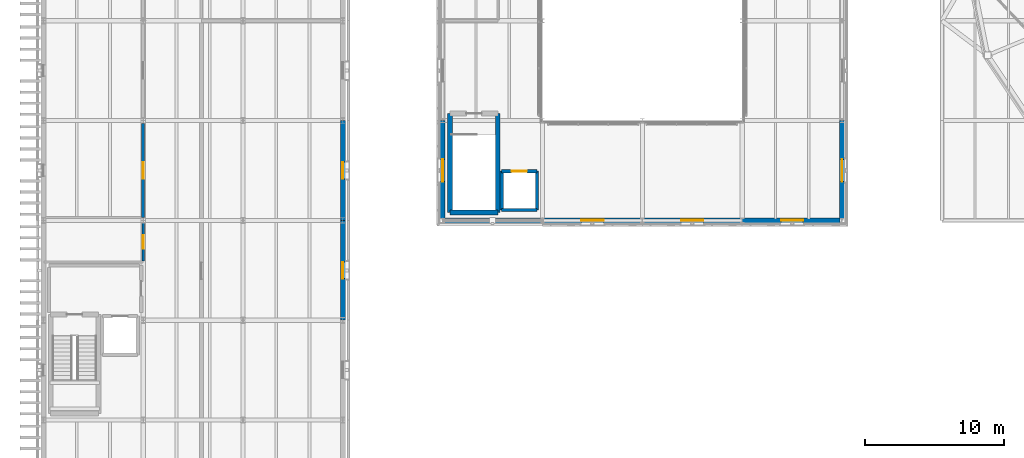
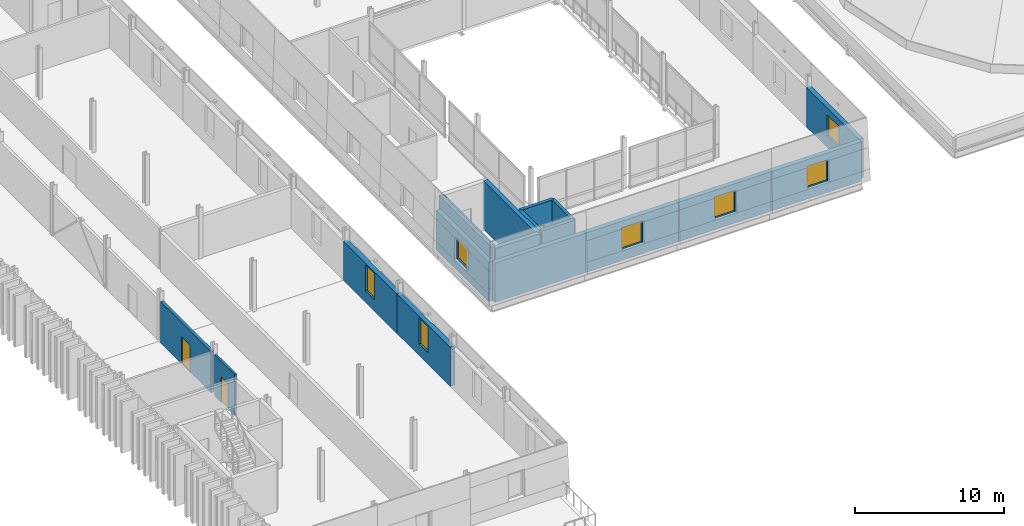
# One storey, part 44 of 66: 17 walls, 7 windows, 3 doors, 10 openings.
"""IFC4 building model written with IfcOpenShell, lengths in metres."""

from ifc_helpers import new_model, si_unit, direction, frame, frame_2d, origin, place, context, subcontext, project, spatial, rectangle, extrude, material, layer, layer_set, type_object, element, fill, save


model = new_model("IFC4")

# Units and contexts
model_context = context("Model", 3, precision=1e-05, world=origin(), true_north=direction((0.0, 1.0)))
body_context = subcontext(model_context, "Body", "Model", "MODEL_VIEW")
ifc_project = project(units=[si_unit("LENGTHUNIT", "METRE"), si_unit("AREAUNIT", "SQUARE_METRE"), si_unit("VOLUMEUNIT", "CUBIC_METRE"), si_unit("PLANEANGLEUNIT", "RADIAN"), si_unit("MASSUNIT", "GRAM", prefix="KILO")], contexts=[model_context])

# Site, building, storey
site_placement = place(None, origin())
site = spatial("IfcSite", under=ifc_project, at=site_placement, CompositionType="ELEMENT")
building_placement = place(site_placement, origin())
building = spatial("IfcBuilding", under=site, at=building_placement, Name="Narikvali Park Central Library", CompositionType="ELEMENT")
storey_placement = place(building_placement, frame((0.0, 0.0, 18.60009765625)))
storey = spatial("IfcBuildingStorey", under=building, at=storey_placement, Name="L04", CompositionType="ELEMENT", Elevation=18.60009765625)

# Wall, opening, door
ifc_material_1 = material(Name="Reinforced Masonry Blockwork C30/37", Category="masonry")
ifc_layer_1 = layer(ifc_material_1, 0.219970703125, Name="Reinforced Masonry Blockwork C30/37")
ifc_layer_set_1 = layer_set([ifc_layer_1], Name="Reinforced Masonry Blockwork C30/37")
wall_type_1 = type_object("IfcWallType", Name="Archive Fire-Resisting Partition 220", PredefinedType="SOLIDWALL", material=ifc_layer_set_1)
wall_1_placement = place(storey_placement, frame((7.199951171875, 57.803955078125, 0.0), z_axis=(0.0, 0.0, 1.0), x_axis=(0.0, 1.0, 0.0)))
wall_1 = element("IfcWall", 1, at=wall_1_placement, inside=storey, type_object=wall_type_1, Name="Special Collections Closed Stacks L04 Partition E", PredefinedType="SOLIDWALL", context=body_context, shape_type="SweptSolid", body=[
    extrude(rectangle(XDim=6.7919921875, YDim=0.219970703125, at=frame_2d((3.39599609375, 0.0))), origin(), (0.0, 0.0, 1.0), 3.385009765625),
])
opening_1_placement = place(wall_1_placement, frame((2.7958984375, 0.0, 0.0)))
opening_1 = element("IfcOpeningElement", 2, at=opening_1_placement, cuts=wall_1, Name="Opening ID-0134", PredefinedType="OPENING", context=body_context, shape_type="SweptSolid", body=[
    extrude(rectangle(XDim=1.199951171875, YDim=2.199951171875, at=frame_2d((0.60009765625, 1.10009765625))), frame((0.0, 0.1220703125, 0.0), z_axis=(0.0, -1.0, 0.0), x_axis=(1.0, 0.0, 0.0)), (0.0, 0.0, 1.0), 0.243896484375),
])
ifc_material_2 = material(Name="Insulated Steel S355 Vault Leaf", Category="steel")
door_type_1 = type_object("IfcDoorType", Name="Archive Vault Heavy Fire Door 1200x2200", OperationType="SINGLE_SWING_LEFT", PredefinedType="DOOR", material=ifc_material_2)
door_1_placement = place(opening_1_placement, origin())
door_1 = element("IfcDoor", 3, at=door_1_placement, inside=storey, type_object=door_type_1, Name="Special Collections Closed Stacks L04 Door ID-0134", OperationType="SINGLE_SWING_RIGHT", OverallHeight=2.199951171875, OverallWidth=1.199951171875, PredefinedType="DOOR", context=body_context, shape_type="SweptSolid", body=[
    extrude(rectangle(XDim=1.199951171875, YDim=2.199951171875, at=frame_2d((0.60009765625, 1.10009765625))), frame((0.0, 0.02490234375, 0.0), z_axis=(0.0, -1.0, 0.0), x_axis=(1.0, 0.0, 0.0)), (0.0, 0.0, 1.0), 0.050048828125),
])
fill(opening_1, door_1)

ifc_material_3 = material(Name="Moisture-Resistant Cement Board on Steel Studs", Category="steel")
ifc_layer_2 = layer(ifc_material_3, 0.14990234375, Name="Moisture-Resistant Cement Board on Steel Studs")
ifc_layer_set_2 = layer_set([ifc_layer_2], Name="Moisture-Resistant Cement Board on Steel Studs")
wall_type_2 = type_object("IfcWallType", Name="Moisture-Resistant WC Partition 150", PredefinedType="PARTITIONING", material=ifc_layer_set_2)
wall_2_placement = place(storey_placement, frame((7.199951171875, 54.677001953125, 0.0), z_axis=(0.0, 0.0, 1.0), x_axis=(0.0, 1.0, 0.0)))
wall_2 = element("IfcWall", 4, at=wall_2_placement, inside=storey, type_object=wall_type_2, Name="Stacks Wing Accessible WC L04 Partition E", PredefinedType="PARTITIONING", context=body_context, shape_type="SweptSolid", body=[
    extrude(rectangle(XDim=2.718994140625, YDim=0.14990234375, at=frame_2d((1.359375, 0.0))), origin(), (0.0, 0.0, 1.0), 3.385009765625),
])
opening_2_placement = place(wall_2_placement, frame((0.869384765625, 0.0, 0.0)))
opening_2 = element("IfcOpeningElement", 5, at=opening_2_placement, cuts=wall_2, Name="Opening ID-0022", PredefinedType="OPENING", context=body_context, shape_type="SweptSolid", body=[
    extrude(rectangle(XDim=0.97998046875, YDim=2.10009765625, at=frame_2d((0.489990234375, 1.050048828125))), frame((0.0, 0.0869140625, 0.0), z_axis=(0.0, -1.0, 0.0), x_axis=(1.0, 0.0, 0.0)), (0.0, 0.0, 1.0), 0.173828125),
])
ifc_material_4 = material(Name="Laminate Faced Hardwood Core", Category="wood")
door_type_2 = type_object("IfcDoorType", Name="Accessible WC Outward-Opening Door 980x2100", OperationType="SINGLE_SWING_RIGHT", PredefinedType="DOOR", material=ifc_material_4)
door_2_placement = place(opening_2_placement, frame((0.97998046875, 0.0, 0.0), z_axis=(0.0, 0.0, 1.0), x_axis=(-1.0, 0.0, 0.0)))
door_2 = element("IfcDoor", 6, at=door_2_placement, inside=storey, type_object=door_type_2, Name="Stacks Wing Accessible WC L04 Door ID-0022", OperationType="SINGLE_SWING_RIGHT", OverallHeight=2.10009765625, OverallWidth=0.97998046875, PredefinedType="DOOR", context=body_context, shape_type="SweptSolid", body=[
    extrude(rectangle(XDim=0.97998046875, YDim=2.10009765625, at=frame_2d((0.489990234375, 1.050048828125))), frame((0.0, 0.02490234375, 0.0), z_axis=(0.0, -1.0, 0.0), x_axis=(1.0, 0.0, 0.0)), (0.0, 0.0, 1.0), 0.050048828125),
])
fill(opening_2, door_2)

# Walls
ifc_material_5 = material(Name="Concrete C40/50", Category="concrete")
ifc_layer_3 = layer(ifc_material_5, 0.35009765625, Name="Concrete C40/50")
ifc_layer_set_3 = layer_set([ifc_layer_3], Name="Concrete C40/50")
wall_type_3 = type_object("IfcWallType", Name="Reinforced Concrete Core Shear Wall 350", PredefinedType="SHEAR", material=ifc_layer_set_3)
wall_3_placement = place(storey_placement, frame((29.330078125, 58.179931640625, 0.0), z_axis=(0.0, 0.0, 1.0), x_axis=(1.0, 0.0, 0.0)))
element("IfcWall", 7, at=wall_3_placement, inside=storey, type_object=wall_type_3, Name="C4A L04 Stair Core Shear Wall S", PredefinedType="SHEAR", context=body_context, shape_type="SweptSolid", body=[
    extrude(rectangle(XDim=3.43994140625, YDim=0.35009765625, at=frame_2d((1.719970703125, 0.0))), origin(), (0.0, 0.0, 1.0), 3.9599609375),
])
for number, where, z_axis, x_axis, name in (
    (8, (32.77001953125, 58.179931640625, 0.0), (0.0, 0.0, 1.0), (0.0, 1.0, 0.0), "C4A L04 Stair Core Shear Wall E"),
    (9, (29.330078125, 65.320068359375, 0.0), (0.0, 0.0, 1.0), (0.0, -1.0, 0.0), "C4A L04 Stair Core Shear Wall W"),
):
    element("IfcWall", number, at=place(storey_placement, frame(where, z_axis=z_axis, x_axis=x_axis)), inside=storey, type_object=wall_type_3, Name=name, PredefinedType="SHEAR", context=body_context, shape_type="SweptSolid", body=[
        extrude(rectangle(XDim=7.14013671875, YDim=0.35009765625, at=frame_2d((3.570068359375, 0.0))), origin(), (0.0, 0.0, 1.0), 3.9599609375),
    ])
ifc_layer_4 = layer(ifc_material_5, 0.25, Name="Concrete C40/50")
ifc_layer_set_4 = layer_set([ifc_layer_4], Name="Concrete C40/50")
wall_type_4 = type_object("IfcWallType", Name="Reinforced Concrete Lift Shaft Wall 250", PredefinedType="SHEAR", material=ifc_layer_set_4)
wall_4_placement = place(storey_placement, frame((33.050048828125, 58.35009765625, 0.0), z_axis=(0.0, 0.0, 1.0), x_axis=(1.0, 0.0, 0.0)))
element("IfcWall", 10, at=wall_4_placement, inside=storey, type_object=wall_type_4, Name="L-05 L04 Lift Shaft Wall S", PredefinedType="SHEAR", context=body_context, shape_type="SweptSolid", body=[
    extrude(rectangle(XDim=2.550048828125, YDim=0.25, at=frame_2d((1.27490234375, 0.0))), origin(), (0.0, 0.0, 1.0), 3.9599609375),
])
wall_5_placement = place(storey_placement, frame((35.60009765625, 58.35009765625, 0.0), z_axis=(0.0, 0.0, 1.0), x_axis=(0.0, 1.0, 0.0)))
element("IfcWall", 11, at=wall_5_placement, inside=storey, type_object=wall_type_4, Name="L-05 L04 Lift Shaft Wall E", PredefinedType="SHEAR", context=body_context, shape_type="SweptSolid", body=[
    extrude(rectangle(XDim=2.7998046875, YDim=0.25, at=frame_2d((1.39990234375, 0.0))), origin(), (0.0, 0.0, 1.0), 3.9599609375),
])

# Wall, opening, door
wall_6_placement = place(storey_placement, frame((35.60009765625, 61.14990234375, 0.0), z_axis=(0.0, 0.0, 1.0), x_axis=(-1.0, 0.0, 0.0)))
wall_6 = element("IfcWall", 12, at=wall_6_placement, inside=storey, type_object=wall_type_4, Name="L-05 L04 Lift Shaft Wall N", PredefinedType="SHEAR", context=body_context, shape_type="SweptSolid", body=[
    extrude(rectangle(XDim=2.550048828125, YDim=0.25, at=frame_2d((1.27490234375, 0.0))), origin(), (0.0, 0.0, 1.0), 3.9599609375),
])
opening_3_placement = place(wall_6_placement, frame((0.72509765625, 0.0, 0.0)))
opening_3 = element("IfcOpeningElement", 13, at=opening_3_placement, cuts=wall_6, Name="Opening LD-027", PredefinedType="OPENING", context=body_context, shape_type="SweptSolid", body=[
    extrude(rectangle(XDim=1.10009765625, YDim=2.10009765625, at=frame_2d((0.550048828125, 1.050048828125))), frame((0.0, 0.136962890625, 0.0), z_axis=(0.0, -1.0, 0.0), x_axis=(1.0, 0.0, 0.0)), (0.0, 0.0, 1.0), 0.27392578125),
])
ifc_material_6 = material(Name="Brushed Stainless Steel S355", Category="steel")
door_type_3 = type_object("IfcDoorType", Name="Passenger Lift Sliding Landing Door 1100x2100", OperationType="SLIDING_TO_LEFT", PredefinedType="DOOR", material=ifc_material_6)
door_3_placement = place(opening_3_placement, origin())
door_3 = element("IfcDoor", 14, at=door_3_placement, inside=storey, type_object=door_type_3, Name="L-05 L04 Lift Landing Sliding Door LD-027", OperationType="SLIDING_TO_LEFT", OverallHeight=2.10009765625, OverallWidth=1.10009765625, PredefinedType="DOOR", context=body_context, shape_type="SweptSolid", body=[
    extrude(rectangle(XDim=1.10009765625, YDim=2.10009765625, at=frame_2d((0.550048828125, 1.050048828125))), frame((0.0, 0.02490234375, 0.0), z_axis=(0.0, -1.0, 0.0), x_axis=(1.0, 0.0, 0.0)), (0.0, 0.0, 1.0), 0.050048828125),
])
fill(opening_3, door_3)

# Walls
wall_7_placement = place(storey_placement, frame((33.050048828125, 61.14990234375, 0.0), z_axis=(0.0, 0.0, 1.0), x_axis=(0.0, -1.0, 0.0)))
element("IfcWall", 15, at=wall_7_placement, inside=storey, type_object=wall_type_4, Name="L-05 L04 Lift Shaft Wall W", PredefinedType="SHEAR", context=body_context, shape_type="SweptSolid", body=[
    extrude(rectangle(XDim=2.7998046875, YDim=0.25, at=frame_2d((1.39990234375, 0.0))), origin(), (0.0, 0.0, 1.0), 3.9599609375),
])
ifc_material_7 = material(Name="White Honed Limestone over Concrete C35/45", Category="masonry")
ifc_layer_5 = layer(ifc_material_7, 0.360107421875, Name="White Honed Limestone over Concrete C35/45")
ifc_layer_set_5 = layer_set([ifc_layer_5], Name="White Honed Limestone over Concrete C35/45")
wall_type_5 = type_object("IfcWallType", Name="White Limestone Attic Clerestory Wall 360", PredefinedType="SOLIDWALL", material=ifc_layer_set_5)
wall_8_placement = place(storey_placement, frame((28.944091796875, 57.60009765625, 0.0), z_axis=(0.0, 0.0, 1.0), x_axis=(1.0, 0.0, 0.0)))
element("IfcWall", 16, at=wall_8_placement, inside=storey, type_object=wall_type_5, Name="V4 L04 S Exterior Limestone Wall B01", PredefinedType="SOLIDWALL", context=body_context, shape_type="SweptSolid", body=[
    extrude(rectangle(XDim=7.055908203125, YDim=0.360107421875, at=frame_2d((3.52783203125, 0.0))), origin(), (0.0, 0.0, 1.0), 3.239990234375),
])

# Wall, opening, window
wall_9_placement = place(storey_placement, frame((36.0, 57.60009765625, 0.0), z_axis=(0.0, 0.0, 1.0), x_axis=(1.0, 0.0, 0.0)))
wall_9 = element("IfcWall", 17, at=wall_9_placement, inside=storey, type_object=wall_type_5, Name="V4 L04 S Exterior Limestone Wall B02", PredefinedType="SOLIDWALL", context=body_context, shape_type="SweptSolid", body=[
    extrude(rectangle(XDim=7.199951171875, YDim=0.360107421875, at=frame_2d((3.60009765625, 0.0))), origin(), (0.0, 0.0, 1.0), 3.239990234375),
])
opening_4_placement = place(wall_9_placement, frame((2.800048828125, 0.0, 0.949951171875)))
opening_4 = element("IfcOpeningElement", 18, at=opening_4_placement, cuts=wall_9, Name="Opening WIN-0206", PredefinedType="OPENING", context=body_context, shape_type="SweptSolid", body=[
    extrude(rectangle(XDim=1.60009765625, YDim=1.75, at=frame_2d((0.800048828125, 0.875))), frame((0.0, 0.19189453125, 0.0), z_axis=(0.0, -1.0, 0.0), x_axis=(1.0, 0.0, 0.0)), (0.0, 0.0, 1.0), 0.384033203125),
])
ifc_material_8 = material(Name="Anodised Bronze Aluminium and Low-E Triple Glazing", Category="aluminium")
window_type_1 = type_object("IfcWindowType", Name="Atrium Attic Study Punched Window 1600x1750", PartitioningType="DOUBLE_PANEL_HORIZONTAL", PredefinedType="WINDOW", material=ifc_material_8)
window_1_placement = place(opening_4_placement, origin())
window_1 = element("IfcWindow", 19, at=window_1_placement, inside=storey, type_object=window_type_1, Name="V4 L04 S Deep-Reveal Window WIN-0206", OverallHeight=1.75, OverallWidth=1.60009765625, PartitioningType="SINGLE_PANEL", PredefinedType="WINDOW", context=body_context, shape_type="SweptSolid", body=[
    extrude(rectangle(XDim=1.60009765625, YDim=1.75, at=frame_2d((0.800048828125, 0.875))), frame((0.0, 0.030029296875, 0.0), z_axis=(0.0, -1.0, 0.0), x_axis=(1.0, 0.0, 0.0)), (0.0, 0.0, 1.0), 0.06005859375),
])
fill(opening_4, window_1)

wall_10_placement = place(storey_placement, frame((43.199951171875, 57.60009765625, 0.0), z_axis=(0.0, 0.0, 1.0), x_axis=(1.0, 0.0, 0.0)))
wall_10 = element("IfcWall", 20, at=wall_10_placement, inside=storey, type_object=wall_type_5, Name="V4 L04 S Exterior Limestone Wall B03", PredefinedType="SOLIDWALL", context=body_context, shape_type="SweptSolid", body=[
    extrude(rectangle(XDim=7.199951171875, YDim=0.360107421875, at=frame_2d((3.60009765625, 0.0))), origin(), (0.0, 0.0, 1.0), 3.239990234375),
])
opening_5_placement = place(wall_10_placement, frame((2.800048828125, 0.0, 0.949951171875)))
opening_5 = element("IfcOpeningElement", 21, at=opening_5_placement, cuts=wall_10, Name="Opening WIN-0207", PredefinedType="OPENING", context=body_context, shape_type="SweptSolid", body=[
    extrude(rectangle(XDim=1.60009765625, YDim=1.75, at=frame_2d((0.800048828125, 0.875))), frame((0.0, 0.19189453125, 0.0), z_axis=(0.0, -1.0, 0.0), x_axis=(1.0, 0.0, 0.0)), (0.0, 0.0, 1.0), 0.384033203125),
])
window_2_placement = place(opening_5_placement, origin())
window_2 = element("IfcWindow", 22, at=window_2_placement, inside=storey, type_object=window_type_1, Name="V4 L04 S Deep-Reveal Window WIN-0207", OverallHeight=1.75, OverallWidth=1.60009765625, PartitioningType="SINGLE_PANEL", PredefinedType="WINDOW", context=body_context, shape_type="SweptSolid", body=[
    extrude(rectangle(XDim=1.60009765625, YDim=1.75, at=frame_2d((0.800048828125, 0.875))), frame((0.0, 0.030029296875, 0.0), z_axis=(0.0, -1.0, 0.0), x_axis=(1.0, 0.0, 0.0)), (0.0, 0.0, 1.0), 0.06005859375),
])
fill(opening_5, window_2)

wall_11_placement = place(storey_placement, frame((50.39990234375, 57.60009765625, 0.0), z_axis=(0.0, 0.0, 1.0), x_axis=(1.0, 0.0, 0.0)))
wall_11 = element("IfcWall", 23, at=wall_11_placement, inside=storey, type_object=wall_type_5, Name="V4 L04 S Exterior Limestone Wall B04", PredefinedType="SOLIDWALL", context=body_context, shape_type="SweptSolid", body=[
    extrude(rectangle(XDim=7.05615234375, YDim=0.360107421875, at=frame_2d((3.528076171875, 0.0))), origin(), (0.0, 0.0, 1.0), 3.239990234375),
])
opening_6_placement = place(wall_11_placement, frame((2.800048828125, 0.0, 0.949951171875)))
opening_6 = element("IfcOpeningElement", 24, at=opening_6_placement, cuts=wall_11, Name="Opening WIN-0208", PredefinedType="OPENING", context=body_context, shape_type="SweptSolid", body=[
    extrude(rectangle(XDim=1.60009765625, YDim=1.75, at=frame_2d((0.800048828125, 0.875))), frame((0.0, 0.19189453125, 0.0), z_axis=(0.0, -1.0, 0.0), x_axis=(1.0, 0.0, 0.0)), (0.0, 0.0, 1.0), 0.384033203125),
])
window_3_placement = place(opening_6_placement, origin())
window_3 = element("IfcWindow", 25, at=window_3_placement, inside=storey, type_object=window_type_1, Name="V4 L04 S Deep-Reveal Window WIN-0208", OverallHeight=1.75, OverallWidth=1.60009765625, PartitioningType="SINGLE_PANEL", PredefinedType="WINDOW", context=body_context, shape_type="SweptSolid", body=[
    extrude(rectangle(XDim=1.60009765625, YDim=1.75, at=frame_2d((0.800048828125, 0.875))), frame((0.0, 0.030029296875, 0.0), z_axis=(0.0, -1.0, 0.0), x_axis=(1.0, 0.0, 0.0)), (0.0, 0.0, 1.0), 0.06005859375),
])
fill(opening_6, window_3)

wall_12_placement = place(storey_placement, frame((57.60009765625, 57.743896484375, 0.0), z_axis=(0.0, 0.0, 1.0), x_axis=(0.0, 1.0, 0.0)))
wall_12 = element("IfcWall", 26, at=wall_12_placement, inside=storey, type_object=wall_type_5, Name="V4 L04 E Exterior Limestone Wall B01", PredefinedType="SOLIDWALL", context=body_context, shape_type="SweptSolid", body=[
    extrude(rectangle(XDim=7.05615234375, YDim=0.360107421875, at=frame_2d((3.528076171875, 0.0))), origin(), (0.0, 0.0, 1.0), 3.239990234375),
])
opening_7_placement = place(wall_12_placement, frame((2.656005859375, 0.0, 0.949951171875)))
opening_7 = element("IfcOpeningElement", 27, at=opening_7_placement, cuts=wall_12, Name="Opening WIN-0209", PredefinedType="OPENING", context=body_context, shape_type="SweptSolid", body=[
    extrude(rectangle(XDim=1.60009765625, YDim=1.75, at=frame_2d((0.800048828125, 0.875))), frame((0.0, 0.19189453125, 0.0), z_axis=(0.0, -1.0, 0.0), x_axis=(1.0, 0.0, 0.0)), (0.0, 0.0, 1.0), 0.384033203125),
])
window_4_placement = place(opening_7_placement, origin())
window_4 = element("IfcWindow", 28, at=window_4_placement, inside=storey, type_object=window_type_1, Name="V4 L04 E Deep-Reveal Window WIN-0209", OverallHeight=1.75, OverallWidth=1.60009765625, PartitioningType="SINGLE_PANEL", PredefinedType="WINDOW", context=body_context, shape_type="SweptSolid", body=[
    extrude(rectangle(XDim=1.60009765625, YDim=1.75, at=frame_2d((0.800048828125, 0.875))), frame((0.0, 0.030029296875, 0.0), z_axis=(0.0, -1.0, 0.0), x_axis=(1.0, 0.0, 0.0)), (0.0, 0.0, 1.0), 0.06005859375),
])
fill(opening_7, window_4)

wall_13_placement = place(storey_placement, frame((28.800048828125, 64.800048828125, 0.0), z_axis=(0.0, 0.0, 1.0), x_axis=(0.0, -1.0, 0.0)))
wall_13 = element("IfcWall", 29, at=wall_13_placement, inside=storey, type_object=wall_type_5, Name="V4 L04 W Exterior Limestone Wall B06", PredefinedType="SOLIDWALL", context=body_context, shape_type="SweptSolid", body=[
    extrude(rectangle(XDim=7.05615234375, YDim=0.360107421875, at=frame_2d((3.528076171875, 0.0))), origin(), (0.0, 0.0, 1.0), 3.239990234375),
])
opening_8_placement = place(wall_13_placement, frame((2.800048828125, 0.0, 0.949951171875)))
opening_8 = element("IfcOpeningElement", 30, at=opening_8_placement, cuts=wall_13, Name="Opening WIN-0222", PredefinedType="OPENING", context=body_context, shape_type="SweptSolid", body=[
    extrude(rectangle(XDim=1.60009765625, YDim=1.75, at=frame_2d((0.800048828125, 0.875))), frame((0.0, 0.19189453125, 0.0), z_axis=(0.0, -1.0, 0.0), x_axis=(1.0, 0.0, 0.0)), (0.0, 0.0, 1.0), 0.384033203125),
])
window_5_placement = place(opening_8_placement, origin())
window_5 = element("IfcWindow", 31, at=window_5_placement, inside=storey, type_object=window_type_1, Name="V4 L04 W Deep-Reveal Window WIN-0222", OverallHeight=1.75, OverallWidth=1.60009765625, PartitioningType="SINGLE_PANEL", PredefinedType="WINDOW", context=body_context, shape_type="SweptSolid", body=[
    extrude(rectangle(XDim=1.60009765625, YDim=1.75, at=frame_2d((0.800048828125, 0.875))), frame((0.0, 0.030029296875, 0.0), z_axis=(0.0, -1.0, 0.0), x_axis=(1.0, 0.0, 0.0)), (0.0, 0.0, 1.0), 0.06005859375),
])
fill(opening_8, window_5)

wall_14_placement = place(storey_placement, frame((21.60009765625, 50.39990234375, 0.0), z_axis=(0.0, 0.0, 1.0), x_axis=(0.0, 1.0, 0.0)))
wall_14 = element("IfcWall", 32, at=wall_14_placement, inside=storey, type_object=wall_type_5, Name="V5 L04 E Exterior Limestone Wall B03", PredefinedType="SOLIDWALL", context=body_context, shape_type="SweptSolid", body=[
    extrude(rectangle(XDim=7.2001953125, YDim=0.360107421875, at=frame_2d((3.60009765625, 0.0))), origin(), (0.0, 0.0, 1.0), 3.219970703125),
])
opening_9_placement = place(wall_14_placement, frame((3.0, 0.0, 0.949951171875)))
opening_9 = element("IfcOpeningElement", 33, at=opening_9_placement, cuts=wall_14, Name="Opening WIN-0310", PredefinedType="OPENING", context=body_context, shape_type="SweptSolid", body=[
    extrude(rectangle(XDim=1.199951171875, YDim=2.14990234375, at=frame_2d((0.60009765625, 1.074951171875))), frame((0.0, 0.19189453125, 0.0), z_axis=(0.0, -1.0, 0.0), x_axis=(1.0, 0.0, 0.0)), (0.0, 0.0, 1.0), 0.384033203125),
])
window_type_2 = type_object("IfcWindowType", Name="Stacks Archive Deep-Reveal Punched Window 1200x2150", PartitioningType="SINGLE_PANEL", PredefinedType="WINDOW", material=ifc_material_8)
window_6_placement = place(opening_9_placement, origin())
window_6 = element("IfcWindow", 34, at=window_6_placement, inside=storey, type_object=window_type_2, Name="V5 L04 E Deep-Reveal Window WIN-0310", OverallHeight=2.14990234375, OverallWidth=1.199951171875, PartitioningType="SINGLE_PANEL", PredefinedType="WINDOW", context=body_context, shape_type="SweptSolid", body=[
    extrude(rectangle(XDim=1.199951171875, YDim=2.14990234375, at=frame_2d((0.60009765625, 1.074951171875))), frame((0.0, 0.030029296875, 0.0), z_axis=(0.0, -1.0, 0.0), x_axis=(1.0, 0.0, 0.0)), (0.0, 0.0, 1.0), 0.06005859375),
])
fill(opening_9, window_6)

wall_15_placement = place(storey_placement, frame((21.60009765625, 57.60009765625, 0.0), z_axis=(0.0, 0.0, 1.0), x_axis=(0.0, 1.0, 0.0)))
wall_15 = element("IfcWall", 35, at=wall_15_placement, inside=storey, type_object=wall_type_5, Name="V5 L04 E Exterior Limestone Wall B04", PredefinedType="SOLIDWALL", context=body_context, shape_type="SweptSolid", body=[
    extrude(rectangle(XDim=7.199951171875, YDim=0.360107421875, at=frame_2d((3.60009765625, 0.0))), origin(), (0.0, 0.0, 1.0), 3.219970703125),
])
opening_10_placement = place(wall_15_placement, frame((3.0, 0.0, 0.949951171875)))
opening_10 = element("IfcOpeningElement", 36, at=opening_10_placement, cuts=wall_15, Name="Opening WIN-0311", PredefinedType="OPENING", context=body_context, shape_type="SweptSolid", body=[
    extrude(rectangle(XDim=1.199951171875, YDim=2.14990234375, at=frame_2d((0.60009765625, 1.074951171875))), frame((0.0, 0.19189453125, 0.0), z_axis=(0.0, -1.0, 0.0), x_axis=(1.0, 0.0, 0.0)), (0.0, 0.0, 1.0), 0.384033203125),
])
window_7_placement = place(opening_10_placement, origin())
window_7 = element("IfcWindow", 37, at=window_7_placement, inside=storey, type_object=window_type_2, Name="V5 L04 E Deep-Reveal Window WIN-0311", OverallHeight=2.14990234375, OverallWidth=1.199951171875, PartitioningType="SINGLE_PANEL", PredefinedType="WINDOW", context=body_context, shape_type="SweptSolid", body=[
    extrude(rectangle(XDim=1.199951171875, YDim=2.14990234375, at=frame_2d((0.60009765625, 1.074951171875))), frame((0.0, 0.030029296875, 0.0), z_axis=(0.0, -1.0, 0.0), x_axis=(1.0, 0.0, 0.0)), (0.0, 0.0, 1.0), 0.06005859375),
])
fill(opening_10, window_7)

save(model, "model.ifc")
